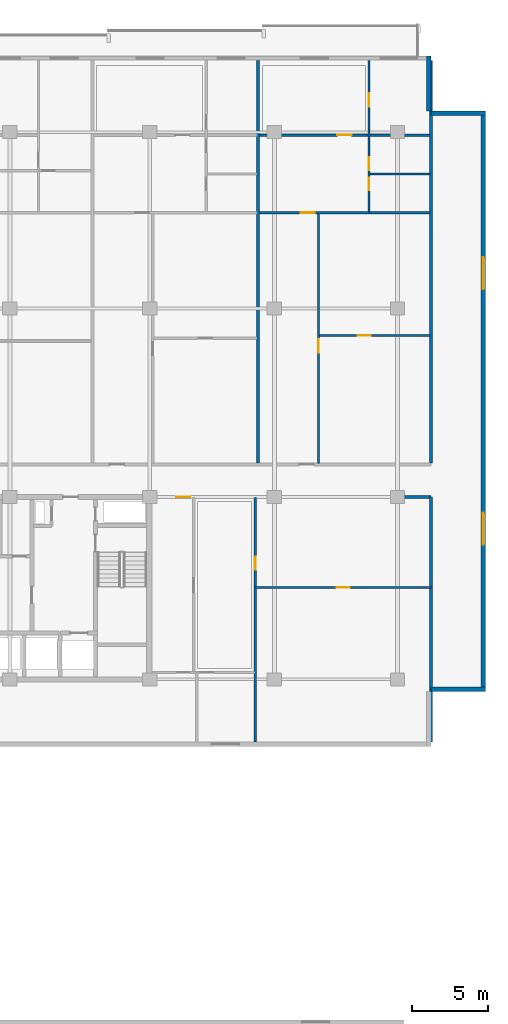
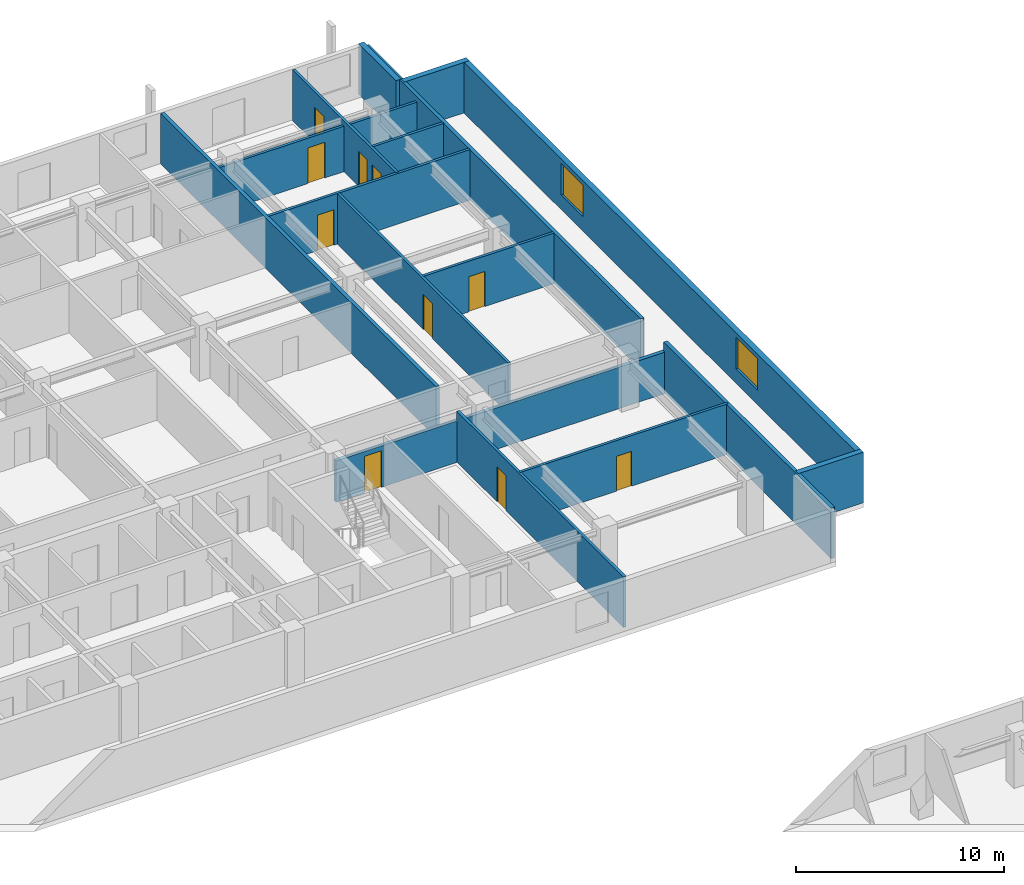
# One storey, part 16 of 22: 16 walls, 10 doors, 2 windows, 12 openings.
"""IFC4 building model written with IfcOpenShell, lengths in metres."""

from ifc_helpers import new_model, si_unit, direction, frame, frame_2d, origin, place, context, subcontext, project, spatial, rectangle, extrude, material, layer, layer_set, type_object, element, fill, save


model = new_model("IFC4")

# Units and contexts
model_context = context("Model", 3, precision=1e-05, world=origin(), true_north=direction((0.0, 1.0)))
body_context = subcontext(model_context, "Body", "Model", "MODEL_VIEW")
ifc_project = project(units=[si_unit("LENGTHUNIT", "METRE"), si_unit("AREAUNIT", "SQUARE_METRE"), si_unit("VOLUMEUNIT", "CUBIC_METRE"), si_unit("PLANEANGLEUNIT", "RADIAN"), si_unit("MASSUNIT", "GRAM", prefix="KILO")], contexts=[model_context])

# Site, building, storey
site_placement = place(None, origin())
site = spatial("IfcSite", under=ifc_project, at=site_placement, CompositionType="ELEMENT")
building_placement = place(site_placement, origin())
building = spatial("IfcBuilding", under=site, at=building_placement, Name="Korimba Cascade Residences", CompositionType="ELEMENT")
storey_placement = place(building_placement, frame((0.0, 0.0, 90.550048828125)))
storey = spatial("IfcBuildingStorey", under=building, at=storey_placement, Name="L25", CompositionType="ELEMENT", Elevation=90.550048828125)

# Wall
ifc_material_1 = material(Name="Precast concrete C40/50", Category="concrete")
ifc_layer_1 = layer(ifc_material_1, 0.300048828125)
ifc_layer_set_1 = layer_set([ifc_layer_1], Name="Precast concrete C40/50")
wall_type_1 = type_object("IfcWallType", Name="EW-STONE-300", PredefinedType="STANDARD", material=ifc_layer_set_1)
wall_1_placement = place(storey_placement, frame((130.60009765625, 54.550048828125, 0.0), z_axis=(0.0, 0.0, 1.0), x_axis=(1.0, 0.0, 0.0)))
element("IfcWall", 1, at=wall_1_placement, inside=storey, type_object=wall_type_1, Name="L25 T1 Perimeter Stone Wall E02", PredefinedType="STANDARD", context=body_context, shape_type="SweptSolid", body=[
    extrude(rectangle(XDim=3.599853515625, YDim=0.300048828125, at=frame_2d((1.7998046875, 0.0))), origin(), (0.0, 0.0, 1.0), 2.969970703125),
])

# Wall, openings, windows
wall_2_placement = place(storey_placement, frame((134.050048828125, 54.39990234375, 0.0), z_axis=(0.0, 0.0, 1.0), x_axis=(0.0, 1.0, 0.0)))
wall_2 = element("IfcWall", 2, at=wall_2_placement, inside=storey, type_object=wall_type_1, Name="L25 T1 Perimeter Stone Wall E03", PredefinedType="STANDARD", context=body_context, shape_type="SweptSolid", body=[
    extrude(rectangle(XDim=38.2001953125, YDim=0.300048828125, at=frame_2d((19.10009765625, 0.0))), origin(), (0.0, 0.0, 1.0), 2.969970703125),
])
opening_1_placement = place(wall_2_placement, frame((9.64599609375, 0.0, 0.85009765625)))
opening_1 = element("IfcOpeningElement", 3, at=opening_1_placement, cuts=wall_2, Name="Opening W-03", PredefinedType="OPENING", context=body_context, shape_type="SweptSolid", body=[
    extrude(rectangle(XDim=2.10009765625, YDim=1.85009765625, at=frame_2d((1.050048828125, 0.925048828125))), frame((0.0, 0.16015625, 0.0), z_axis=(0.0, -1.0, 0.0), x_axis=(1.0, 0.0, 0.0)), (0.0, 0.0, 1.0), 0.320068359375),
])
opening_2_placement = place(wall_2_placement, frame((26.4541015625, 0.0, 0.85009765625)))
opening_2 = element("IfcOpeningElement", 4, at=opening_2_placement, cuts=wall_2, Name="Opening W-03", PredefinedType="OPENING", context=body_context, shape_type="SweptSolid", body=[
    extrude(rectangle(XDim=2.10009765625, YDim=1.85009765625, at=frame_2d((1.050048828125, 0.925048828125))), frame((0.0, 0.16015625, 0.0), z_axis=(0.0, -1.0, 0.0), x_axis=(1.0, 0.0, 0.0)), (0.0, 0.0, 1.0), 0.320068359375),
])
ifc_material_2 = material(Name="Double-Glazed Aluminium Window", Category="aluminium")
window_type = type_object("IfcWindowType", Name="WIN-CRN-2100", PartitioningType="DOUBLE_PANEL_HORIZONTAL", PredefinedType="WINDOW", material=ifc_material_2)
window_1_placement = place(opening_1_placement, origin())
window_1 = element("IfcWindow", 5, at=window_1_placement, inside=storey, type_object=window_type, Name="L25 T1 End View Window 3.1", OverallHeight=1.85009765625, OverallWidth=2.10009765625, PartitioningType="DOUBLE_PANEL_HORIZONTAL", PredefinedType="WINDOW", context=body_context, shape_type="SweptSolid", body=[
    extrude(rectangle(XDim=2.10009765625, YDim=1.85009765625, at=frame_2d((1.050048828125, 0.925048828125))), frame((0.0, 0.030029296875, 0.0), z_axis=(0.0, -1.0, 0.0), x_axis=(1.0, 0.0, 0.0)), (0.0, 0.0, 1.0), 0.06005859375),
])
fill(opening_1, window_1)
window_2_placement = place(opening_2_placement, origin())
window_2 = element("IfcWindow", 6, at=window_2_placement, inside=storey, type_object=window_type, Name="L25 T1 End View Window 3.2", OverallHeight=1.85009765625, OverallWidth=2.10009765625, PartitioningType="DOUBLE_PANEL_HORIZONTAL", PredefinedType="WINDOW", context=body_context, shape_type="SweptSolid", body=[
    extrude(rectangle(XDim=2.10009765625, YDim=1.85009765625, at=frame_2d((1.050048828125, 0.925048828125))), frame((0.0, 0.030029296875, 0.0), z_axis=(0.0, -1.0, 0.0), x_axis=(1.0, 0.0, 0.0)), (0.0, 0.0, 1.0), 0.06005859375),
])
fill(opening_2, window_2)

# Walls
for number, where, z_axis, x_axis, name in (
    (7, (134.199951171875, 92.449951171875, 0.0), (0.0, 0.0, 1.0), (-1.0, 0.0, 0.0), "L25 T1 Perimeter Stone Wall E04"),
    (8, (130.449951171875, 92.60009765625, 0.0), (0.0, 0.0, 1.0), (0.0, 1.0, 0.0), "L25 T1 Perimeter Stone Wall E05"),
):
    element("IfcWall", number, at=place(storey_placement, frame(where, z_axis=z_axis, x_axis=x_axis)), inside=storey, type_object=wall_type_1, Name=name, PredefinedType="STANDARD", context=body_context, shape_type="SweptSolid", body=[
        extrude(rectangle(XDim=3.599853515625, YDim=0.300048828125, at=frame_2d((1.7998046875, 0.0))), origin(), (0.0, 0.0, 1.0), 2.969970703125),
    ])
ifc_layer_2 = layer(ifc_material_1, 0.199951171875)
ifc_layer_set_2 = layer_set([ifc_layer_2], Name="Precast concrete C40/50")
wall_type_2 = type_object("IfcWallType", Name="WAL-IT-200", PredefinedType="PARTITIONING", material=ifc_layer_set_2)
wall_3_placement = place(storey_placement, frame((130.60009765625, 51.10009765625, 0.0), z_axis=(0.0, 0.0, 1.0), x_axis=(0.0, 1.0, 0.0)))
element("IfcWall", 9, at=wall_3_placement, inside=storey, type_object=wall_type_2, Name="L25 Partition Wall WAL-L25-T1-FE-WR", PredefinedType="PARTITIONING", context=body_context, shape_type="SweptSolid", body=[
    extrude(rectangle(XDim=16.099853515625, YDim=0.199951171875, at=frame_2d((8.0498046875, 0.0))), origin(), (0.0, 0.0, 1.0), 2.969970703125),
])

# Wall, opening, door
wall_4_placement = place(storey_placement, frame((112.25, 67.199951171875, 0.0), z_axis=(0.0, 0.0, 1.0), x_axis=(1.0, 0.0, 0.0)))
wall_4 = element("IfcWall", 10, at=wall_4_placement, inside=storey, type_object=wall_type_2, Name="L25 Partition Wall WAL-L25-T1-FE-N", PredefinedType="PARTITIONING", context=body_context, shape_type="SweptSolid", body=[
    extrude(rectangle(XDim=18.35009765625, YDim=0.199951171875, at=frame_2d((9.175048828125, 0.0))), origin(), (0.0, 0.0, 1.0), 2.433349609375),
])
opening_3_placement = place(wall_4_placement, frame((1.580078125, 0.0, 0.0)))
opening_3 = element("IfcOpeningElement", 11, at=opening_3_placement, cuts=wall_4, Name="Opening D-UN1", PredefinedType="OPENING", context=body_context, shape_type="SweptSolid", body=[
    extrude(rectangle(XDim=0.949951171875, YDim=2.14990234375, at=frame_2d((0.47509765625, 1.074951171875))), frame((0.0, 0.10986328125, 0.0), z_axis=(0.0, -1.0, 0.0), x_axis=(1.0, 0.0, 0.0)), (0.0, 0.0, 1.0), 0.219970703125),
])
ifc_material_3 = material(Name="Fire-Rated Hardwood Apartment Entrance Door", Category="wood")
door_type_1 = type_object("IfcDoorType", Name="DR-FD60-950", OperationType="NOTDEFINED", PredefinedType="DOOR", material=ifc_material_3)
door_1_placement = place(opening_3_placement, origin())
door_1 = element("IfcDoor", 12, at=door_1_placement, inside=storey, type_object=door_type_1, Name="L25-T1-FE Entrance Door", OperationType="SINGLE_SWING_RIGHT", OverallHeight=2.14990234375, OverallWidth=0.949951171875, PredefinedType="DOOR", context=body_context, shape_type="SweptSolid", body=[
    extrude(rectangle(XDim=0.949951171875, YDim=2.14990234375, at=frame_2d((0.47509765625, 1.074951171875))), frame((0.0, 0.02490234375, 0.0), z_axis=(0.0, -1.0, 0.0), x_axis=(1.0, 0.0, 0.0)), (0.0, 0.0, 1.0), 0.050048828125),
])
fill(opening_3, door_1)

# Walls
for number, where, z_axis, x_axis, name in (
    (13, (130.60009765625, 69.429931640625, 0.0), (0.0, 0.0, 1.0), (0.0, 1.0, 0.0), "L25 Partition Wall WAL-L25-T1-BNDWR"),
    (14, (119.2333984375, 69.429931640625, 0.0), (0.0, 0.0, 1.0), (0.0, 1.0, 0.0), "L25 Partition Wall WAL-L25-T1-DEM-4"),
):
    element("IfcWall", number, at=place(storey_placement, frame(where, z_axis=z_axis, x_axis=x_axis)), inside=storey, type_object=wall_type_2, Name=name, PredefinedType="PARTITIONING", context=body_context, shape_type="SweptSolid", body=[
        extrude(rectangle(XDim=26.469970703125, YDim=0.199951171875, at=frame_2d((13.23486328125, 0.0))), origin(), (0.0, 0.0, 1.0), 2.969970703125),
    ])

# Wall, opening, door
ifc_material_4 = material(Name="Insulated Acoustic Stud Partition", Category="gypsum")
ifc_layer_3 = layer(ifc_material_4, 0.14990234375)
ifc_layer_set_3 = layer_set([ifc_layer_3], Name="Insulated Acoustic Stud Partition")
wall_type_3 = type_object("IfcWallType", Name="WAL-PART-150", PredefinedType="PARTITIONING", material=ifc_layer_set_3)
wall_5_placement = place(storey_placement, frame((119.050048828125, 61.25, 0.0), z_axis=(0.0, 0.0, 1.0), x_axis=(1.0, 0.0, 0.0)))
wall_5 = element("IfcWall", 15, at=wall_5_placement, inside=storey, type_object=wall_type_3, Name="L25 Partition Wall WAL-L25-T1-FE-STH", PredefinedType="PARTITIONING", context=body_context, shape_type="SweptSolid", body=[
    extrude(rectangle(XDim=11.550048828125, YDim=0.14990234375, at=frame_2d((5.77490234375, 0.0))), origin(), (0.0, 0.0, 1.0), 2.969970703125),
])
opening_4_placement = place(wall_5_placement, frame((5.35498046875, 0.0, 0.0)))
opening_4 = element("IfcOpeningElement", 16, at=opening_4_placement, cuts=wall_5, Name="Opening D-BT1", PredefinedType="OPENING", context=body_context, shape_type="SweptSolid", body=[
    extrude(rectangle(XDim=0.840087890625, YDim=2.0400390625, at=frame_2d((0.419921875, 1.02001953125))), frame((0.0, 0.0849609375, 0.0), z_axis=(0.0, -1.0, 0.0), x_axis=(1.0, 0.0, 0.0)), (0.0, 0.0, 1.0), 0.169921875),
])
ifc_material_5 = material(Name="Moisture-Resistant Bathroom Timber Door", Category="wood")
door_type_2 = type_object("IfcDoorType", Name="DR-INT-850", OperationType="NOTDEFINED", PredefinedType="DOOR", material=ifc_material_5)
door_2_placement = place(opening_4_placement, origin())
door_2 = element("IfcDoor", 17, at=door_2_placement, inside=storey, type_object=door_type_2, Name="L25-T1-FE Dressing Store Door", OperationType="SINGLE_SWING_LEFT", OverallHeight=2.0400390625, OverallWidth=0.840087890625, PredefinedType="DOOR", context=body_context, shape_type="SweptSolid", body=[
    extrude(rectangle(XDim=0.840087890625, YDim=2.0400390625, at=frame_2d((0.419921875, 1.02001953125))), frame((0.0, 0.02490234375, 0.0), z_axis=(0.0, -1.0, 0.0), x_axis=(1.0, 0.0, 0.0)), (0.0, 0.0, 1.0), 0.050048828125),
])
fill(opening_4, door_2)

wall_6_placement = place(storey_placement, frame((119.050048828125, 51.10009765625, 0.0), z_axis=(0.0, 0.0, 1.0), x_axis=(0.0, 1.0, 0.0)))
wall_6 = element("IfcWall", 18, at=wall_6_placement, inside=storey, type_object=wall_type_3, Name="L25 Partition Wall WAL-L25-T1-FE-STV", PredefinedType="PARTITIONING", context=body_context, shape_type="SweptSolid", body=[
    extrude(rectangle(XDim=16.0498046875, YDim=0.14990234375, at=frame_2d((8.02490234375, 0.0))), origin(), (0.0, 0.0, 1.0), 2.969970703125),
])
opening_5_placement = place(wall_6_placement, frame((11.300048828125, 0.0, 0.0)))
opening_5 = element("IfcOpeningElement", 19, at=opening_5_placement, cuts=wall_6, Name="Opening D-IN2", PredefinedType="OPENING", context=body_context, shape_type="SweptSolid", body=[
    extrude(rectangle(XDim=0.8798828125, YDim=2.06005859375, at=frame_2d((0.43994140625, 1.030029296875))), frame((0.0, 0.0849609375, 0.0), z_axis=(0.0, -1.0, 0.0), x_axis=(1.0, 0.0, 0.0)), (0.0, 0.0, 1.0), 0.169921875),
])
ifc_material_6 = material(Name="Acoustic Timber Bedroom Door", Category="wood")
door_type_3 = type_object("IfcDoorType", Name="DR-INT-880", OperationType="NOTDEFINED", PredefinedType="DOOR", material=ifc_material_6)
door_3_placement = place(opening_5_placement, origin())
door_3 = element("IfcDoor", 20, at=door_3_placement, inside=storey, type_object=door_type_3, Name="L25-T1-FE Study Door", OperationType="SINGLE_SWING_RIGHT", OverallHeight=2.06005859375, OverallWidth=0.8798828125, PredefinedType="DOOR", context=body_context, shape_type="SweptSolid", body=[
    extrude(rectangle(XDim=0.8798828125, YDim=2.06005859375, at=frame_2d((0.43994140625, 1.030029296875))), frame((0.0, 0.02490234375, 0.0), z_axis=(0.0, -1.0, 0.0), x_axis=(1.0, 0.0, 0.0)), (0.0, 0.0, 1.0), 0.050048828125),
])
fill(opening_5, door_3)

wall_7_placement = place(storey_placement, frame((123.263427734375, 77.81494140625, 0.0), z_axis=(0.0, 0.0, 1.0), x_axis=(1.0, 0.0, 0.0)))
wall_7 = element("IfcWall", 21, at=wall_7_placement, inside=storey, type_object=wall_type_3, Name="L25 Partition Wall WAL-L25-T1-U05-FMH", PredefinedType="PARTITIONING", context=body_context, shape_type="SweptSolid", body=[
    extrude(rectangle(XDim=7.256591796875, YDim=0.14990234375, at=frame_2d((3.62841796875, 0.0))), origin(), (0.0, 0.0, 1.0), 2.969970703125),
])
opening_6_placement = place(wall_7_placement, frame((2.507080078125, 0.0, 0.0)))
opening_6 = element("IfcOpeningElement", 22, at=opening_6_placement, cuts=wall_7, Name="Opening D-IN2", PredefinedType="OPENING", context=body_context, shape_type="SweptSolid", body=[
    extrude(rectangle(XDim=0.8798828125, YDim=2.06005859375, at=frame_2d((0.43994140625, 1.030029296875))), frame((0.0, 0.0849609375, 0.0), z_axis=(0.0, -1.0, 0.0), x_axis=(1.0, 0.0, 0.0)), (0.0, 0.0, 1.0), 0.169921875),
])
door_4_placement = place(opening_6_placement, origin())
door_4 = element("IfcDoor", 23, at=door_4_placement, inside=storey, type_object=door_type_3, Name="L25-T1-U05 Library Salon Door", OperationType="SINGLE_SWING_LEFT", OverallHeight=2.06005859375, OverallWidth=0.8798828125, PredefinedType="DOOR", context=body_context, shape_type="SweptSolid", body=[
    extrude(rectangle(XDim=0.8798828125, YDim=2.06005859375, at=frame_2d((0.43994140625, 1.030029296875))), frame((0.0, 0.02490234375, 0.0), z_axis=(0.0, -1.0, 0.0), x_axis=(1.0, 0.0, 0.0)), (0.0, 0.0, 1.0), 0.050048828125),
])
fill(opening_6, door_4)

wall_8_placement = place(storey_placement, frame((123.203369140625, 69.409912109375, 0.0), z_axis=(0.0, 0.0, 1.0), x_axis=(0.0, 1.0, 0.0)))
wall_8 = element("IfcWall", 24, at=wall_8_placement, inside=storey, type_object=wall_type_3, Name="L25 Partition Wall WAL-L25-T1-U05-FV", PredefinedType="PARTITIONING", context=body_context, shape_type="SweptSolid", body=[
    extrude(rectangle(XDim=16.4501953125, YDim=0.14990234375, at=frame_2d((8.22509765625, 0.0))), origin(), (0.0, 0.0, 1.0), 2.969970703125),
])
opening_7_placement = place(wall_8_placement, frame((7.27490234375, 0.0, 0.0)))
opening_7 = element("IfcOpeningElement", 25, at=opening_7_placement, cuts=wall_8, Name="Opening D-IN2", PredefinedType="OPENING", context=body_context, shape_type="SweptSolid", body=[
    extrude(rectangle(XDim=0.8798828125, YDim=2.06005859375, at=frame_2d((0.43994140625, 1.030029296875))), frame((0.0, 0.0849609375, 0.0), z_axis=(0.0, -1.0, 0.0), x_axis=(1.0, 0.0, 0.0)), (0.0, 0.0, 1.0), 0.169921875),
])
door_5_placement = place(opening_7_placement, origin())
door_5 = element("IfcDoor", 26, at=door_5_placement, inside=storey, type_object=door_type_3, Name="L25-T1-U05 Media Lounge Door", OperationType="SINGLE_SWING_RIGHT", OverallHeight=2.06005859375, OverallWidth=0.8798828125, PredefinedType="DOOR", context=body_context, shape_type="SweptSolid", body=[
    extrude(rectangle(XDim=0.8798828125, YDim=2.06005859375, at=frame_2d((0.43994140625, 1.030029296875))), frame((0.0, 0.02490234375, 0.0), z_axis=(0.0, -1.0, 0.0), x_axis=(1.0, 0.0, 0.0)), (0.0, 0.0, 1.0), 0.050048828125),
])
fill(opening_7, door_5)

# Wall
wall_9_placement = place(storey_placement, frame((126.580078125, 88.43994140625, 0.0), z_axis=(0.0, 0.0, 1.0), x_axis=(1.0, 0.0, 0.0)))
element("IfcWall", 27, at=wall_9_placement, inside=storey, type_object=wall_type_3, Name="L25 Partition Wall WAL-L25-T1-U05-BLDIV", PredefinedType="PARTITIONING", context=body_context, shape_type="SweptSolid", body=[
    extrude(rectangle(XDim=3.93994140625, YDim=0.14990234375, at=frame_2d((1.969970703125, 0.0))), origin(), (0.0, 0.0, 1.0), 2.969970703125),
])

# Wall, openings, doors
wall_10_placement = place(storey_placement, frame((126.52001953125, 85.93994140625, 0.0), z_axis=(0.0, 0.0, 1.0), x_axis=(0.0, 1.0, 0.0)))
wall_10 = element("IfcWall", 28, at=wall_10_placement, inside=storey, type_object=wall_type_3, Name="L25 Partition Wall WAL-L25-T1-U05-V1", PredefinedType="PARTITIONING", context=body_context, shape_type="SweptSolid", body=[
    extrude(rectangle(XDim=9.9599609375, YDim=0.14990234375, at=frame_2d((4.97998046875, 0.0))), origin(), (0.0, 0.0, 1.0), 2.969970703125),
])
opening_8_placement = place(wall_10_placement, frame((1.430419921875, 0.0, 0.0)))
opening_8 = element("IfcOpeningElement", 29, at=opening_8_placement, cuts=wall_10, Name="Opening D-BT1", PredefinedType="OPENING", context=body_context, shape_type="SweptSolid", body=[
    extrude(rectangle(XDim=0.840087890625, YDim=2.0400390625, at=frame_2d((0.419921875, 1.02001953125))), frame((0.0, 0.0849609375, 0.0), z_axis=(0.0, -1.0, 0.0), x_axis=(1.0, 0.0, 0.0)), (0.0, 0.0, 1.0), 0.169921875),
])
opening_9_placement = place(wall_10_placement, frame((2.75439453125, 0.0, 0.0)))
opening_9 = element("IfcOpeningElement", 30, at=opening_9_placement, cuts=wall_10, Name="Opening D-BT1", PredefinedType="OPENING", context=body_context, shape_type="SweptSolid", body=[
    extrude(rectangle(XDim=0.840087890625, YDim=2.0400390625, at=frame_2d((0.419921875, 1.02001953125))), frame((0.0, 0.0849609375, 0.0), z_axis=(0.0, -1.0, 0.0), x_axis=(1.0, 0.0, 0.0)), (0.0, 0.0, 1.0), 0.169921875),
])
opening_10_placement = place(wall_10_placement, frame((6.919921875, 0.0, 0.0)))
opening_10 = element("IfcOpeningElement", 31, at=opening_10_placement, cuts=wall_10, Name="Opening D-IN2", PredefinedType="OPENING", context=body_context, shape_type="SweptSolid", body=[
    extrude(rectangle(XDim=0.8798828125, YDim=2.06005859375, at=frame_2d((0.43994140625, 1.030029296875))), frame((0.0, 0.0849609375, 0.0), z_axis=(0.0, -1.0, 0.0), x_axis=(1.0, 0.0, 0.0)), (0.0, 0.0, 1.0), 0.169921875),
])
door_6_placement = place(opening_8_placement, origin())
door_6 = element("IfcDoor", 32, at=door_6_placement, inside=storey, type_object=door_type_2, Name="L25-T1-U05 Bathroom Door", OperationType="SINGLE_SWING_LEFT", OverallHeight=2.0400390625, OverallWidth=0.840087890625, PredefinedType="DOOR", context=body_context, shape_type="SweptSolid", body=[
    extrude(rectangle(XDim=0.840087890625, YDim=2.0400390625, at=frame_2d((0.419921875, 1.02001953125))), frame((0.0, 0.02490234375, 0.0), z_axis=(0.0, -1.0, 0.0), x_axis=(1.0, 0.0, 0.0)), (0.0, 0.0, 1.0), 0.050048828125),
])
fill(opening_8, door_6)
door_7_placement = place(opening_9_placement, origin())
door_7 = element("IfcDoor", 33, at=door_7_placement, inside=storey, type_object=door_type_2, Name="L25-T1-U05 Laundry Door", OperationType="SINGLE_SWING_RIGHT", OverallHeight=2.0400390625, OverallWidth=0.840087890625, PredefinedType="DOOR", context=body_context, shape_type="SweptSolid", body=[
    extrude(rectangle(XDim=0.840087890625, YDim=2.0400390625, at=frame_2d((0.419921875, 1.02001953125))), frame((0.0, 0.02490234375, 0.0), z_axis=(0.0, -1.0, 0.0), x_axis=(1.0, 0.0, 0.0)), (0.0, 0.0, 1.0), 0.050048828125),
])
fill(opening_9, door_7)
door_8_placement = place(opening_10_placement, origin())
door_8 = element("IfcDoor", 34, at=door_8_placement, inside=storey, type_object=door_type_3, Name="L25-T1-U05 Bedroom 1 Door", OperationType="SINGLE_SWING_LEFT", OverallHeight=2.06005859375, OverallWidth=0.8798828125, PredefinedType="DOOR", context=body_context, shape_type="SweptSolid", body=[
    extrude(rectangle(XDim=0.8798828125, YDim=2.06005859375, at=frame_2d((0.43994140625, 1.030029296875))), frame((0.0, 0.02490234375, 0.0), z_axis=(0.0, -1.0, 0.0), x_axis=(1.0, 0.0, 0.0)), (0.0, 0.0, 1.0), 0.050048828125),
])
fill(opening_10, door_8)

# Wall, opening, door
wall_11_placement = place(storey_placement, frame((119.3134765625, 85.89990234375, 0.0), z_axis=(0.0, 0.0, 1.0), x_axis=(1.0, 0.0, 0.0)))
wall_11 = element("IfcWall", 35, at=wall_11_placement, inside=storey, type_object=wall_type_3, Name="L25 Partition Wall WAL-L25-T1-U05-MW", PredefinedType="PARTITIONING", context=body_context, shape_type="SweptSolid", body=[
    extrude(rectangle(XDim=11.20654296875, YDim=0.14990234375, at=frame_2d((5.603271484375, 0.0))), origin(), (0.0, 0.0, 1.0), 2.969970703125),
])
opening_11_placement = place(wall_11_placement, frame((2.719970703125, 0.0, 0.0)))
opening_11 = element("IfcOpeningElement", 36, at=opening_11_placement, cuts=wall_11, Name="Opening D-IN1", PredefinedType="OPENING", context=body_context, shape_type="SweptSolid", body=[
    extrude(rectangle(XDim=0.919921875, YDim=2.080078125, at=frame_2d((0.4599609375, 1.0400390625))), frame((0.0, 0.0849609375, 0.0), z_axis=(0.0, -1.0, 0.0), x_axis=(1.0, 0.0, 0.0)), (0.0, 0.0, 1.0), 0.169921875),
])
ifc_material_7 = material(Name="Acoustic Timber Living Door", Category="wood")
door_type_4 = type_object("IfcDoorType", Name="DR-INT-920", OperationType="NOTDEFINED", PredefinedType="DOOR", material=ifc_material_7)
door_9_placement = place(opening_11_placement, origin())
door_9 = element("IfcDoor", 37, at=door_9_placement, inside=storey, type_object=door_type_4, Name="L25-T1-U05 Kitchen Archway Door", OperationType="SINGLE_SWING_RIGHT", OverallHeight=2.080078125, OverallWidth=0.919921875, PredefinedType="DOOR", context=body_context, shape_type="SweptSolid", body=[
    extrude(rectangle(XDim=0.919921875, YDim=2.080078125, at=frame_2d((0.4599609375, 1.0400390625))), frame((0.0, 0.02490234375, 0.0), z_axis=(0.0, -1.0, 0.0), x_axis=(1.0, 0.0, 0.0)), (0.0, 0.0, 1.0), 0.050048828125),
])
fill(opening_11, door_9)

wall_12_placement = place(storey_placement, frame((119.3134765625, 91.0, 0.0), z_axis=(0.0, 0.0, 1.0), x_axis=(1.0, 0.0, 0.0)))
wall_12 = element("IfcWall", 38, at=wall_12_placement, inside=storey, type_object=wall_type_3, Name="L25 Partition Wall WAL-L25-T1-U05-HZ", PredefinedType="PARTITIONING", context=body_context, shape_type="SweptSolid", body=[
    extrude(rectangle(XDim=11.20654296875, YDim=0.14990234375, at=frame_2d((5.603271484375, 0.0))), origin(), (0.0, 0.0, 1.0), 2.663330078125),
])
opening_12_placement = place(wall_12_placement, frame((5.13330078125, 0.0, 0.0)))
opening_12 = element("IfcOpeningElement", 39, at=opening_12_placement, cuts=wall_12, Name="Opening D-IN0", PredefinedType="OPENING", context=body_context, shape_type="SweptSolid", body=[
    extrude(rectangle(XDim=0.93994140625, YDim=2.10009765625, at=frame_2d((0.469970703125, 1.050048828125))), frame((0.0, 0.0849609375, 0.0), z_axis=(0.0, -1.0, 0.0), x_axis=(1.0, 0.0, 0.0)), (0.0, 0.0, 1.0), 0.169921875),
])
ifc_material_8 = material(Name="Acoustic Timber Living Archway Door", Category="wood")
door_type_5 = type_object("IfcDoorType", Name="DR-INT-950", OperationType="NOTDEFINED", PredefinedType="DOOR", material=ifc_material_8)
door_10_placement = place(opening_12_placement, origin())
door_10 = element("IfcDoor", 40, at=door_10_placement, inside=storey, type_object=door_type_5, Name="L25-T1-U05 Living Archway Door", OperationType="SINGLE_SWING_LEFT", OverallHeight=2.10009765625, OverallWidth=0.93994140625, PredefinedType="DOOR", context=body_context, shape_type="SweptSolid", body=[
    extrude(rectangle(XDim=0.93994140625, YDim=2.10009765625, at=frame_2d((0.469970703125, 1.050048828125))), frame((0.0, 0.02490234375, 0.0), z_axis=(0.0, -1.0, 0.0), x_axis=(1.0, 0.0, 0.0)), (0.0, 0.0, 1.0), 0.050048828125),
])
fill(opening_12, door_10)

save(model, "model.ifc")
